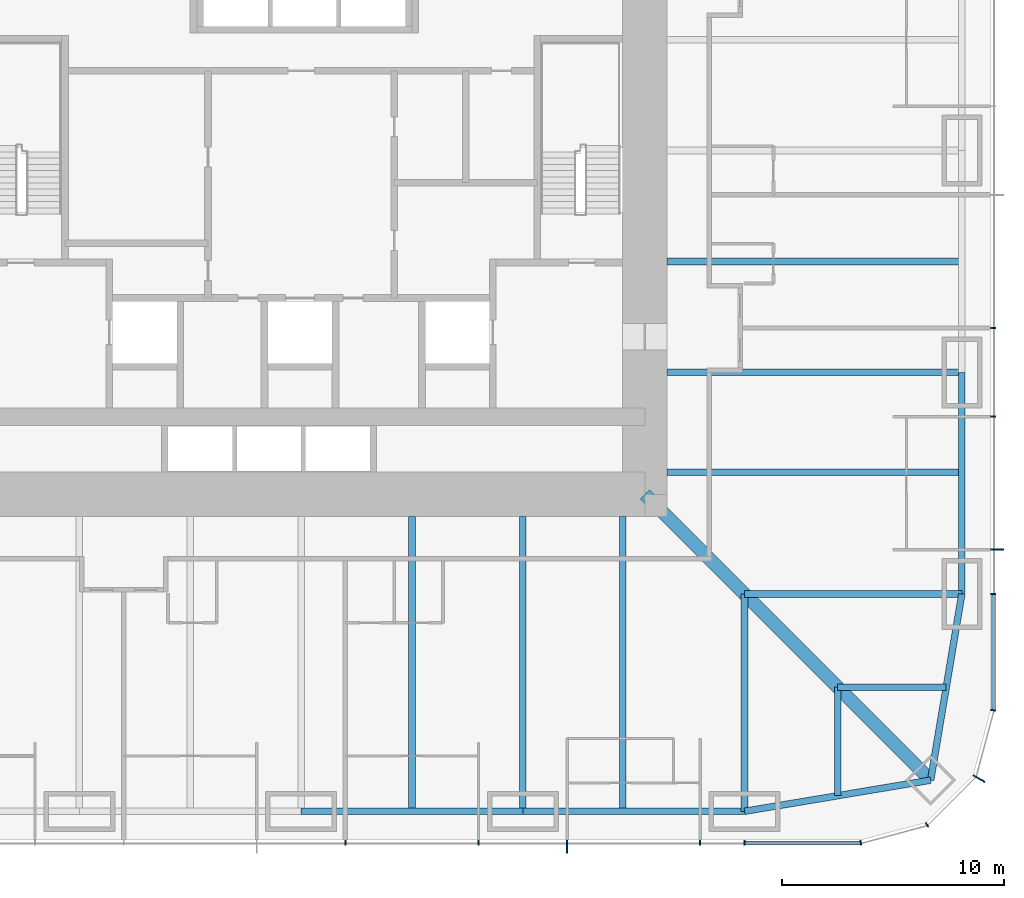
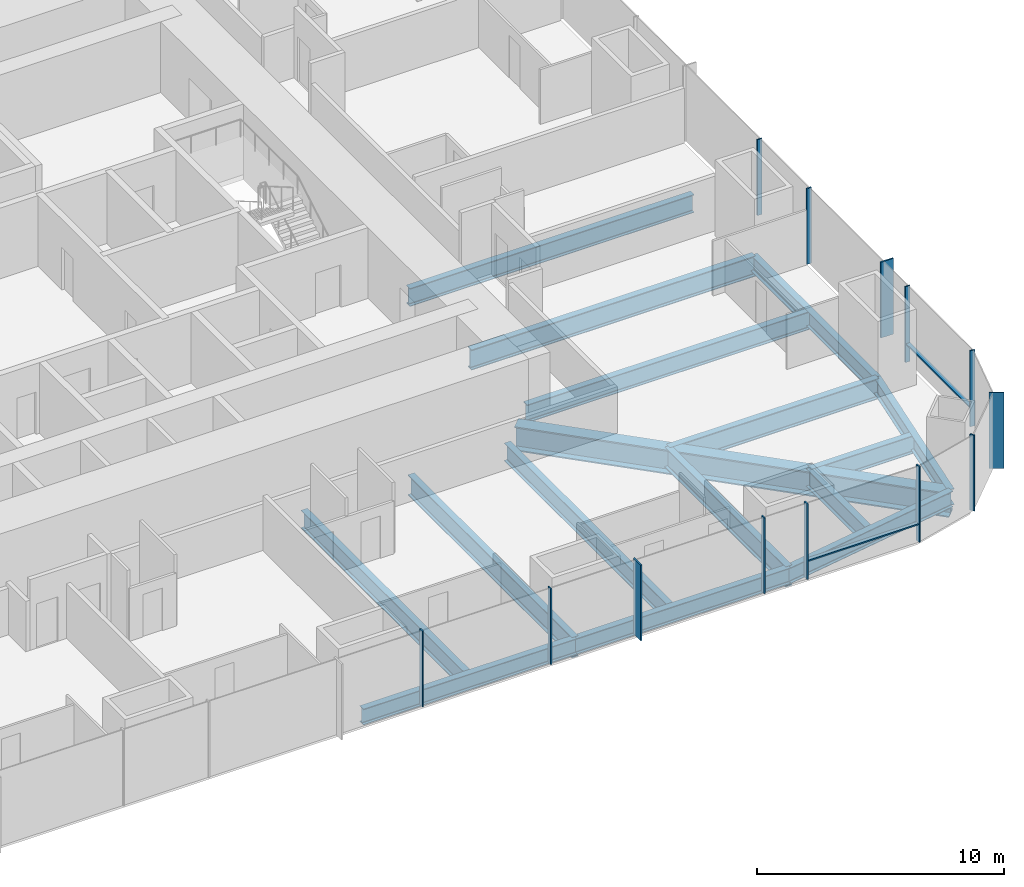
# One storey, part 4 of 17: 16 beams, 15 members, 3 elements without a shape of their own.
"""IFC4 building model written with IfcOpenShell, lengths in metres."""

from ifc_helpers import new_model, si_unit, direction, frame, origin, origin_2d, place, context, subcontext, project, spatial, rectangle, i_section, extrude, material, material_profile, profile_set, type_object, element, aggregate, save


model = new_model("IFC4")

# Units and contexts
model_context = context("Model", 3, precision=1e-05, world=origin(), true_north=direction((0.0, 1.0)))
body_context = subcontext(model_context, "Body", "Model", "MODEL_VIEW")
ifc_project = project(units=[si_unit("LENGTHUNIT", "METRE"), si_unit("AREAUNIT", "SQUARE_METRE"), si_unit("VOLUMEUNIT", "CUBIC_METRE"), si_unit("PLANEANGLEUNIT", "RADIAN"), si_unit("MASSUNIT", "GRAM", prefix="KILO")], contexts=[model_context])

# Site, building, storey
site_placement = place(None, origin())
site = spatial("IfcSite", under=ifc_project, at=site_placement, CompositionType="ELEMENT")
building_placement = place(site_placement, origin())
building = spatial("IfcBuilding", under=site, at=building_placement, Name="Khuree Lantern Residences", CompositionType="ELEMENT")
storey_placement = place(building_placement, frame((0.0, 0.0, 77.25)))
storey = spatial("IfcBuildingStorey", under=building, at=storey_placement, Name="L19", CompositionType="ELEMENT", Elevation=77.25)

# Beams
ifc_material_1 = material(Name="Steel S355", Category="steel")
ifc_material_profile_1 = material_profile(ifc_material_1, i_section(OverallWidth=0.300048828125, OverallDepth=0.889892578125, WebThickness=0.01611328125, FlangeThickness=0.030029296875, FilletRadius=0.030029296875, at=origin_2d()), Name="HE 900 A")
ifc_profile_set_1 = profile_set([ifc_material_profile_1], Name="Steel S355")
beam_type_1 = type_object("IfcBeamType", Name="B-14 SECONDARY BEAM HE 900 A", PredefinedType="BEAM", material=ifc_profile_set_1)
for number, where, z_axis, x_axis, name in (
    (1, (29.800048828125, -5.0, -0.695068359375), (-1.0, 0.0, 0.0), (0.0, -1.0, 0.0), "Secondary beam E4"),
    (2, (29.800048828125, -14.5, -0.695068359375), (-1.0, 0.0, 0.0), (0.0, -1.0, 0.0), "Secondary beam E5"),
):
    element("IfcBeam", number, at=place(storey_placement, frame(where, z_axis=z_axis, x_axis=x_axis)), inside=storey, type_object=beam_type_1, Name=name, PredefinedType="BEAM", context=body_context, shape_type="SweptSolid", body=[
        extrude(i_section(OverallWidth=0.300048828125, OverallDepth=0.889892578125, WebThickness=0.01611328125, FlangeThickness=0.030029296875, FilletRadius=0.030029296875, at=origin_2d()), origin(), (0.0, 0.0, 1.0), 13.300048828125),
    ])
for number, where, z_axis, x_axis, name in (
    (3, (29.09716796875, -24.197021484375, -0.695068359375), (-1.0, 0.0, 0.0), (0.0, -1.0, 0.0), "Secondary beam E6"),
    (4, (24.197021484375, -29.09716796875, -0.695068359375), (0.0, 1.0, 0.0), (-1.0, 0.0, 0.0), "Secondary beam S1"),
):
    element("IfcBeam", number, at=place(storey_placement, frame(where, z_axis=z_axis, x_axis=x_axis)), inside=storey, type_object=beam_type_1, Name=name, PredefinedType="BEAM", context=body_context, shape_type="SweptSolid", body=[
        extrude(i_section(OverallWidth=0.300048828125, OverallDepth=0.889892578125, WebThickness=0.01611328125, FlangeThickness=0.030029296875, FilletRadius=0.030029296875, at=origin_2d()), origin(), (0.0, 0.0, 1.0), 4.900146484375),
    ])
for number, where, z_axis, x_axis, name in (
    (5, (14.5, -29.800048828125, -0.695068359375), (0.0, 1.0, 0.0), (-1.0, 0.0, 0.0), "Secondary beam S2"),
    (6, (5.0, -29.800048828125, -0.695068359375), (0.0, 1.0, 0.0), (-1.0, 0.0, 0.0), "Secondary beam S3"),
):
    element("IfcBeam", number, at=place(storey_placement, frame(where, z_axis=z_axis, x_axis=x_axis)), inside=storey, type_object=beam_type_1, Name=name, PredefinedType="BEAM", context=body_context, shape_type="SweptSolid", body=[
        extrude(i_section(OverallWidth=0.300048828125, OverallDepth=0.889892578125, WebThickness=0.01611328125, FlangeThickness=0.030029296875, FilletRadius=0.030029296875, at=origin_2d()), origin(), (0.0, 0.0, 1.0), 13.300048828125),
    ])
ifc_material_profile_2 = material_profile(ifc_material_1, i_section(OverallWidth=0.300048828125, OverallDepth=0.7900390625, WebThickness=0.014892578125, FlangeThickness=0.028076171875, FilletRadius=0.030029296875, at=origin_2d()), Name="HE 800 A")
ifc_profile_set_2 = profile_set([ifc_material_profile_2], Name="Steel S355")
beam_type_2 = type_object("IfcBeamType", Name="E-14 SPANDREL BEAM HE 800 A", PredefinedType="SPANDREL", material=ifc_profile_set_2)
beam_1_placement = place(storey_placement, frame((29.800048828125, -10.0, -0.64501953125), z_axis=(0.0, -1.0, 0.0), x_axis=(1.0, 0.0, 0.0)))
element("IfcBeam", 7, at=beam_1_placement, inside=storey, type_object=beam_type_2, Name="Spandrel beam E5", PredefinedType="SPANDREL", context=body_context, shape_type="SweptSolid", body=[
    extrude(i_section(OverallWidth=0.300048828125, OverallDepth=0.7900390625, WebThickness=0.014892578125, FlangeThickness=0.028076171875, FilletRadius=0.030029296875, at=origin_2d()), origin(), (0.0, 0.0, 1.0), 10.0),
])
for number, where, z_axis, x_axis, name in (
    (8, (29.800048828125, -20.0, -0.64501953125), (-0.165199022349, -0.986260251158, 0.0), (0.986260251158, -0.165199022349, 0.0), "Spandrel beam E6"),
    (9, (28.39404296875, -28.39404296875, -0.64501953125), (-0.986260251158, -0.165199022349, 0.0), (0.165199022349, -0.986260251158, 0.0), "Spandrel beam S1"),
):
    element("IfcBeam", number, at=place(storey_placement, frame(where, z_axis=z_axis, x_axis=x_axis)), inside=storey, type_object=beam_type_2, Name=name, PredefinedType="SPANDREL", context=body_context, shape_type="SweptSolid", body=[
        extrude(i_section(OverallWidth=0.300048828125, OverallDepth=0.7900390625, WebThickness=0.014892578125, FlangeThickness=0.028076171875, FilletRadius=0.030029296875, at=origin_2d()), origin(), (0.0, 0.0, 1.0), 8.510986328125),
    ])
for number, where, z_axis, x_axis, name in (
    (10, (20.0, -29.800048828125, -0.64501953125), (-1.0, 0.0, 0.0), (0.0, -1.0, 0.0), "Spandrel beam S2"),
    (11, (10.0, -29.800048828125, -0.64501953125), (-1.0, 0.0, 0.0), (0.0, -1.0, 0.0), "Spandrel beam S3"),
):
    element("IfcBeam", number, at=place(storey_placement, frame(where, z_axis=z_axis, x_axis=x_axis)), inside=storey, type_object=beam_type_2, Name=name, PredefinedType="SPANDREL", context=body_context, shape_type="SweptSolid", body=[
        extrude(i_section(OverallWidth=0.300048828125, OverallDepth=0.7900390625, WebThickness=0.014892578125, FlangeThickness=0.028076171875, FilletRadius=0.030029296875, at=origin_2d()), origin(), (0.0, 0.0, 1.0), 10.0),
    ])

# Curtain wall, member
ifc_material_2 = material(Name="Bronze anodised aluminium", Category="aluminium")
curtain_wall_type_1 = type_object("IfcCurtainWallType", Name="CW-T2 TOWER CORNER CURTAIN WALL", PredefinedType="USERDEFINED", material=ifc_material_2)
curtain_wall_1_placement = place(storey_placement, origin())
curtain_wall_1 = element("IfcCurtainWall", 12, at=curtain_wall_1_placement, inside=storey, type_object=curtain_wall_type_1, Name="L19 SOUTH-EAST CORNER CURTAIN WALL", ObjectType="Faceted corner curtain wall", PredefinedType="USERDEFINED")
ifc_material_profile_3 = material_profile(ifc_material_2, rectangle(XDim=0.06494140625, YDim=0.60009765625, at=origin_2d()), Name="F1 65X600")
ifc_profile_set_3 = profile_set([ifc_material_profile_3], Name="Bronze anodised aluminium")
member_type_1 = type_object("IfcMemberType", Name="F1 BRONZE FIN MULLION TOWER 65X600", PredefinedType="MULLION", material=ifc_profile_set_3)
member_1_placement = place(storey_placement, frame((30.576171875, -28.324951171875, 0.0), z_axis=(0.0, 0.0, 1.0), x_axis=(0.500000056923, 0.86602537092, 0.0)))
member_1 = element("IfcMember", 13, at=member_1_placement, type_object=member_type_1, Name="L19 SOUTH-EAST CORNER FIN MULLION 3", PredefinedType="MULLION", context=body_context, shape_type="SweptSolid", body=[
    extrude(rectangle(XDim=0.06494140625, YDim=0.60009765625, at=origin_2d()), origin(), (0.0, 0.0, 1.0), 3.75),
])

curtain_wall_type_2 = type_object("IfcCurtainWallType", Name="CW-T1 TOWER FACE CURTAIN WALL", PredefinedType="USERDEFINED", material=ifc_material_2)
curtain_wall_2_placement = place(storey_placement, origin())
curtain_wall_2 = element("IfcCurtainWall", 14, at=curtain_wall_2_placement, inside=storey, type_object=curtain_wall_type_2, Name="L19 EAST FACE CURTAIN WALL", ObjectType="Stick-built curtain wall", PredefinedType="USERDEFINED")
member_2_placement = place(storey_placement, frame((31.39990234375, -18.0, 0.0), z_axis=(0.0, 0.0, 1.0), x_axis=(0.0, 1.0, 0.0)))
member_2 = element("IfcMember", 15, at=member_2_placement, type_object=member_type_1, Name="L19 EAST FACE FIN MULLION 6", PredefinedType="MULLION", context=body_context, shape_type="SweptSolid", body=[
    extrude(rectangle(XDim=0.06494140625, YDim=0.60009765625, at=origin_2d()), origin(), (0.0, 0.0, 1.0), 3.75),
])

curtain_wall_3_placement = place(storey_placement, origin())
curtain_wall_3 = element("IfcCurtainWall", 16, at=curtain_wall_3_placement, inside=storey, type_object=curtain_wall_type_2, Name="L19 SOUTH FACE CURTAIN WALL", ObjectType="Stick-built curtain wall", PredefinedType="USERDEFINED")
member_3_placement = place(storey_placement, frame((12.0, -31.39990234375, 0.0), z_axis=(0.0, 0.0, 1.0), x_axis=(1.0, 0.0, 0.0)))
member_3 = element("IfcMember", 17, at=member_3_placement, type_object=member_type_1, Name="L19 SOUTH FACE FIN MULLION 54", PredefinedType="MULLION", context=body_context, shape_type="SweptSolid", body=[
    extrude(rectangle(XDim=0.06494140625, YDim=0.60009765625, at=origin_2d()), origin(), (0.0, 0.0, 1.0), 3.75),
])

# Beams
ifc_material_profile_4 = material_profile(ifc_material_1, i_section(OverallWidth=0.302001953125, OverallDepth=1.008056640625, WebThickness=0.02099609375, FlangeThickness=0.0400390625, FilletRadius=0.030029296875, at=origin_2d()), Name="HE 1000 M")
ifc_profile_set_4 = profile_set([ifc_material_profile_4], Name="Steel S355")
beam_type_3 = type_object("IfcBeamType", Name="G-14 GIRDER HE 1000 M", PredefinedType="BEAM", material=ifc_profile_set_4)
beam_2_placement = place(storey_placement, frame((29.800048828125, -10.0, -0.75390625), z_axis=(-1.0, 0.0, 0.0), x_axis=(0.0, -1.0, 0.0)))
element("IfcBeam", 18, at=beam_2_placement, inside=storey, type_object=beam_type_3, Name="Girder E4", PredefinedType="BEAM", context=body_context, shape_type="SweptSolid", body=[
    extrude(i_section(OverallWidth=0.302001953125, OverallDepth=1.008056640625, WebThickness=0.02099609375, FlangeThickness=0.0400390625, FilletRadius=0.030029296875, at=origin_2d()), origin(), (0.0, 0.0, 1.0), 13.300048828125),
])
for number, where, z_axis, x_axis, name in (
    (19, (29.800048828125, -20.0, -0.75390625), (-1.0, 0.0, 0.0), (0.0, -1.0, 0.0), "Girder E5"),
    (20, (20.0, -29.800048828125, -0.75390625), (0.0, 1.0, 0.0), (-1.0, 0.0, 0.0), "Girder S1"),
):
    element("IfcBeam", number, at=place(storey_placement, frame(where, z_axis=z_axis, x_axis=x_axis)), inside=storey, type_object=beam_type_3, Name=name, PredefinedType="BEAM", context=body_context, shape_type="SweptSolid", body=[
        extrude(i_section(OverallWidth=0.302001953125, OverallDepth=1.008056640625, WebThickness=0.02099609375, FlangeThickness=0.0400390625, FilletRadius=0.030029296875, at=origin_2d()), origin(), (0.0, 0.0, 1.0), 9.800048828125),
    ])
beam_3_placement = place(storey_placement, frame((10.0, -29.800048828125, -0.75390625), z_axis=(0.0, 1.0, 0.0), x_axis=(-1.0, 0.0, 0.0)))
element("IfcBeam", 21, at=beam_3_placement, inside=storey, type_object=beam_type_3, Name="Girder S2", PredefinedType="BEAM", context=body_context, shape_type="SweptSolid", body=[
    extrude(i_section(OverallWidth=0.302001953125, OverallDepth=1.008056640625, WebThickness=0.02099609375, FlangeThickness=0.0400390625, FilletRadius=0.030029296875, at=origin_2d()), origin(), (0.0, 0.0, 1.0), 13.300048828125),
])
ifc_material_profile_5 = material_profile(ifc_material_1, i_section(OverallWidth=0.60009765625, OverallDepth=1.199951171875, WebThickness=0.030029296875, FlangeThickness=0.06005859375, at=origin_2d()), Name="WELDED I 1200X600X30X60")
ifc_profile_set_5 = profile_set([ifc_material_profile_5], Name="Steel S355")
beam_type_4 = type_object("IfcBeamType", Name="GD-14 CORNER GIRDER WELDED I 1200X600X30X60", PredefinedType="BEAM", material=ifc_profile_set_5)
beam_4_placement = place(storey_placement, frame((28.39404296875, -28.39404296875, -0.85009765625), z_axis=(-0.707106781187, 0.707106781187, 0.0), x_axis=(-0.707106781187, -0.707106781187, 0.0)))
element("IfcBeam", 22, at=beam_4_placement, inside=storey, type_object=beam_type_4, Name="Corner girder SE", PredefinedType="BEAM", context=body_context, shape_type="SweptSolid", body=[
    extrude(i_section(OverallWidth=0.60009765625, OverallDepth=1.199951171875, WebThickness=0.030029296875, FlangeThickness=0.06005859375, at=origin_2d()), origin(), (0.0, 0.0, 1.0), 18.23486328125),
])

# Member
ifc_material_profile_6 = material_profile(ifc_material_2, rectangle(XDim=0.06494140625, YDim=0.219970703125, at=origin_2d()), Name="M1 65X220")
ifc_profile_set_6 = profile_set([ifc_material_profile_6], Name="Bronze anodised aluminium")
member_type_2 = type_object("IfcMemberType", Name="M1 BRONZE MULLION TOWER 65X220", PredefinedType="MULLION", material=ifc_profile_set_6)
member_4_placement = place(storey_placement, frame((25.244873046875, -31.211669921875, 0.0), z_axis=(0.0, 0.0, 1.0), x_axis=(0.991444852794, 0.130526257387, 0.0)))
member_4 = element("IfcMember", 23, at=member_4_placement, type_object=member_type_2, Name="L19 SOUTH-EAST CORNER MULLION 1", PredefinedType="MULLION", context=body_context, shape_type="SweptSolid", body=[
    extrude(rectangle(XDim=0.06494140625, YDim=0.219970703125, at=origin_2d()), origin(), (0.0, 0.0, 1.0), 3.75),
])

member_5_placement = place(storey_placement, frame((28.22998046875, -30.41162109375, 0.0), z_axis=(0.0, 0.0, 1.0), x_axis=(0.86602537092, 0.500000056923, 0.0)))
member_5 = element("IfcMember", 24, at=member_5_placement, type_object=member_type_2, Name="L19 SOUTH-EAST CORNER MULLION 2", PredefinedType="MULLION", context=body_context, shape_type="SweptSolid", body=[
    extrude(rectangle(XDim=0.06494140625, YDim=0.219970703125, at=origin_2d()), origin(), (0.0, 0.0, 1.0), 3.75),
])

aggregate(curtain_wall_1, [member_4, member_5, member_1])

member_6_placement = place(storey_placement, frame((31.211669921875, -25.244873046875, 0.0), z_axis=(0.0, 0.0, 1.0), x_axis=(0.130526257387, 0.991444852794, 0.0)))
member_6 = element("IfcMember", 25, at=member_6_placement, type_object=member_type_2, Name="L19 EAST FACE MULLION 4", PredefinedType="MULLION", context=body_context, shape_type="SweptSolid", body=[
    extrude(rectangle(XDim=0.06494140625, YDim=0.219970703125, at=origin_2d()), origin(), (0.0, 0.0, 1.0), 3.75),
])

member_7_placement = place(storey_placement, frame((31.2099609375, -20.0, 0.0), z_axis=(0.0, 0.0, 1.0), x_axis=(0.0, 1.0, 0.0)))
member_7 = element("IfcMember", 26, at=member_7_placement, type_object=member_type_2, Name="L19 EAST FACE MULLION 5", PredefinedType="MULLION", context=body_context, shape_type="SweptSolid", body=[
    extrude(rectangle(XDim=0.06494140625, YDim=0.219970703125, at=origin_2d()), origin(), (0.0, 0.0, 1.0), 3.75),
])

member_8_placement = place(storey_placement, frame((31.2099609375, -12.0, 0.0), z_axis=(0.0, 0.0, 1.0), x_axis=(0.0, 1.0, 0.0)))
member_8 = element("IfcMember", 27, at=member_8_placement, type_object=member_type_2, Name="L19 EAST FACE MULLION 7", PredefinedType="MULLION", context=body_context, shape_type="SweptSolid", body=[
    extrude(rectangle(XDim=0.06494140625, YDim=0.219970703125, at=origin_2d()), origin(), (0.0, 0.0, 1.0), 3.75),
])

member_9_placement = place(storey_placement, frame((31.2099609375, -8.0, 0.0), z_axis=(0.0, 0.0, 1.0), x_axis=(0.0, 1.0, 0.0)))
member_9 = element("IfcMember", 28, at=member_9_placement, type_object=member_type_2, Name="L19 EAST FACE MULLION 8", PredefinedType="MULLION", context=body_context, shape_type="SweptSolid", body=[
    extrude(rectangle(XDim=0.06494140625, YDim=0.219970703125, at=origin_2d()), origin(), (0.0, 0.0, 1.0), 3.75),
])

member_10_placement = place(storey_placement, frame((2.0, -31.2099609375, 0.0), z_axis=(0.0, 0.0, 1.0), x_axis=(1.0, 0.0, 0.0)))
member_10 = element("IfcMember", 29, at=member_10_placement, type_object=member_type_2, Name="L19 SOUTH FACE MULLION 52", PredefinedType="MULLION", context=body_context, shape_type="SweptSolid", body=[
    extrude(rectangle(XDim=0.06494140625, YDim=0.219970703125, at=origin_2d()), origin(), (0.0, 0.0, 1.0), 3.75),
])

member_11_placement = place(storey_placement, frame((8.0, -31.2099609375, 0.0), z_axis=(0.0, 0.0, 1.0), x_axis=(1.0, 0.0, 0.0)))
member_11 = element("IfcMember", 30, at=member_11_placement, type_object=member_type_2, Name="L19 SOUTH FACE MULLION 53", PredefinedType="MULLION", context=body_context, shape_type="SweptSolid", body=[
    extrude(rectangle(XDim=0.06494140625, YDim=0.219970703125, at=origin_2d()), origin(), (0.0, 0.0, 1.0), 3.75),
])

member_12_placement = place(storey_placement, frame((18.0, -31.2099609375, 0.0), z_axis=(0.0, 0.0, 1.0), x_axis=(1.0, 0.0, 0.0)))
member_12 = element("IfcMember", 31, at=member_12_placement, type_object=member_type_2, Name="L19 SOUTH FACE MULLION 55", PredefinedType="MULLION", context=body_context, shape_type="SweptSolid", body=[
    extrude(rectangle(XDim=0.06494140625, YDim=0.219970703125, at=origin_2d()), origin(), (0.0, 0.0, 1.0), 3.75),
])

member_13_placement = place(storey_placement, frame((20.0, -31.2099609375, 0.0), z_axis=(0.0, 0.0, 1.0), x_axis=(1.0, 0.0, 0.0)))
member_13 = element("IfcMember", 32, at=member_13_placement, type_object=member_type_2, Name="L19 SOUTH FACE MULLION 56", PredefinedType="MULLION", context=body_context, shape_type="SweptSolid", body=[
    extrude(rectangle(XDim=0.06494140625, YDim=0.219970703125, at=origin_2d()), origin(), (0.0, 0.0, 1.0), 3.75),
])

ifc_material_profile_7 = material_profile(ifc_material_2, rectangle(XDim=0.179931640625, YDim=0.06494140625, at=origin_2d()), Name="T1 180X65")
ifc_profile_set_7 = profile_set([ifc_material_profile_7], Name="Bronze anodised aluminium")
member_type_3 = type_object("IfcMemberType", Name="TRANSOM T1 TOWER 180X65", PredefinedType="USERDEFINED", material=ifc_profile_set_7)
member_14_placement = place(storey_placement, frame((31.219970703125, -25.201416015625, 0.89990234375), z_axis=(0.0, 1.0, 0.0), x_axis=(-1.0, 0.0, 0.0)))
member_14 = element("IfcMember", 33, at=member_14_placement, type_object=member_type_3, Name="L19 EAST FACE TRANSOM 4.1", ObjectType="Transom", PredefinedType="USERDEFINED", context=body_context, shape_type="SweptSolid", body=[
    extrude(rectangle(XDim=0.179931640625, YDim=0.06494140625, at=origin_2d()), origin(), (0.0, 0.0, 1.0), 5.1689453125),
])

aggregate(curtain_wall_2, [member_6, member_7, member_2, member_8, member_9, member_14])

member_15_placement = place(storey_placement, frame((20.032470703125, -31.219970703125, 0.89990234375), z_axis=(1.0, 0.0, 0.0), x_axis=(0.0, 1.0, 0.0)))
member_15 = element("IfcMember", 34, at=member_15_placement, type_object=member_type_3, Name="L19 SOUTH FACE TRANSOM 56.1", ObjectType="Transom", PredefinedType="USERDEFINED", context=body_context, shape_type="SweptSolid", body=[
    extrude(rectangle(XDim=0.179931640625, YDim=0.06494140625, at=origin_2d()), origin(), (0.0, 0.0, 1.0), 5.1689453125),
])

aggregate(curtain_wall_3, [member_10, member_11, member_3, member_12, member_13, member_15])

save(model, "model.ifc")
